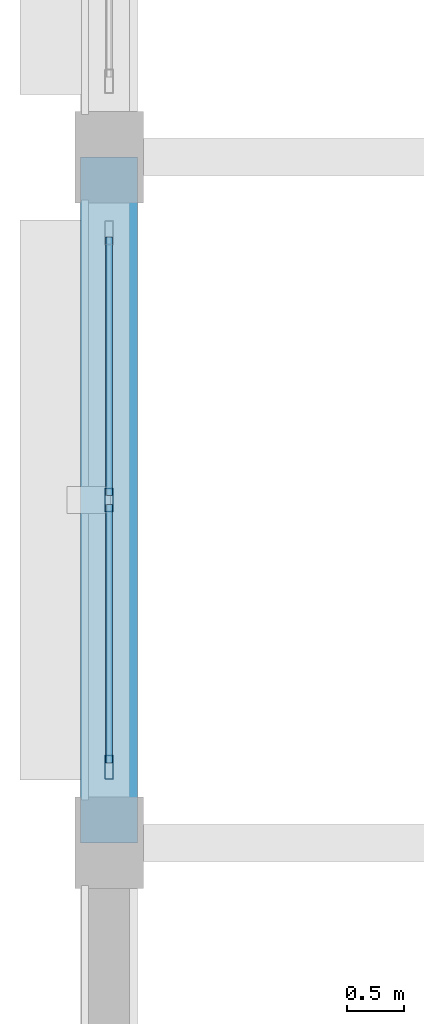
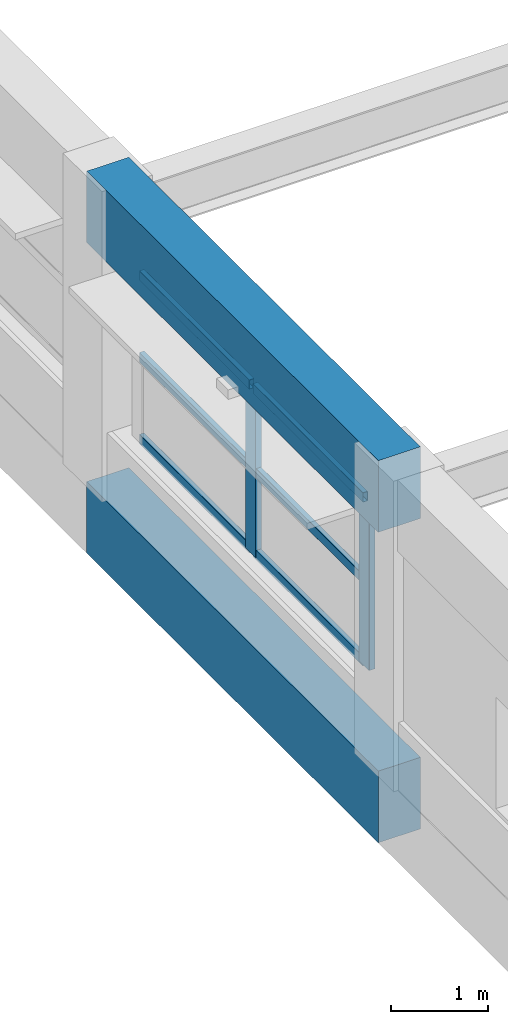
# One storey, part 12 of 108: 8 members, 2 beams, 1 element without a shape of its own.
"""IFC4 building model written with IfcOpenShell, lengths in metres."""

from ifc_helpers import new_model, si_unit, direction, frame, origin, origin_2d, place, context, subcontext, project, spatial, rectangle, hollow_rectangle, extrude, material, layer, layer_set, material_profile, profile_set, type_object, element, aggregate, save


model = new_model("IFC4")

# Units and contexts
model_context = context("Model", 3, precision=1e-05, world=origin(), true_north=direction((0.0, 1.0)))
body_context = subcontext(model_context, "Body", "Model", "MODEL_VIEW")
ifc_project = project(units=[si_unit("LENGTHUNIT", "METRE"), si_unit("AREAUNIT", "SQUARE_METRE"), si_unit("VOLUMEUNIT", "CUBIC_METRE"), si_unit("PLANEANGLEUNIT", "RADIAN"), si_unit("MASSUNIT", "GRAM", prefix="KILO")], contexts=[model_context])

# Site, building, storey
site_placement = place(None, origin())
site = spatial("IfcSite", under=ifc_project, at=site_placement, CompositionType="ELEMENT")
building_placement = place(site_placement, origin())
building = spatial("IfcBuilding", under=site, at=building_placement, Name="Vespera Passage Community Centre", CompositionType="ELEMENT")
storey_placement = place(building_placement, frame((0.0, 0.0, 12.60009765625)))
storey = spatial("IfcBuildingStorey", under=building, at=storey_placement, Name="L03", CompositionType="ELEMENT", Elevation=12.60009765625)

# Beams
ifc_material_1 = material(Name="Concrete f'c 45 MPa", Category="concrete")
ifc_material_profile_1 = material_profile(ifc_material_1, rectangle(XDim=0.5, YDim=0.89990234375, at=origin_2d()), Name="RC500X900")
ifc_profile_set_1 = profile_set([ifc_material_profile_1], Name="Concrete f'c 45 MPa")
beam_type = type_object("IfcBeamType", Name="BM-SP-500X900E", PredefinedType="SPANDREL", material=ifc_profile_set_1)
for number, where, z_axis, x_axis, name in (
    (1, (4.050048828125, 31.0, 3.449951171875), (0.0, 1.0, 0.0), (-1.0, 0.0, 0.0), "Main Hall Eave Ring Girder W5"),
    (2, (4.050048828125, 31.0, -0.4501953125), (0.0, 1.0, 0.0), (-1.0, 0.0, 0.0), "V1 L03 Spandrel W5"),
):
    element("IfcBeam", number, at=place(storey_placement, frame(where, z_axis=z_axis, x_axis=x_axis)), inside=storey, type_object=beam_type, Name=name, PredefinedType="SPANDREL", context=body_context, shape_type="SweptSolid", body=[
        extrude(rectangle(XDim=0.5, YDim=0.89990234375, at=origin_2d()), origin(), (0.0, 0.0, 1.0), 6.0),
    ])

# Curtain wall, members
ifc_material_2 = material(Name="Anodized aluminium 6063-T6", Category="aluminium")
ifc_layer = layer(ifc_material_2, 0.159912109375)
ifc_layer_set = layer_set([ifc_layer], Name="Anodized aluminium 6063-T6")
curtain_wall_type = type_object("IfcCurtainWallType", Name="CW-86E", PredefinedType="NOTDEFINED", material=ifc_layer_set)
curtain_wall_placement = place(storey_placement, origin())
curtain_wall = element("IfcCurtainWall", 3, at=curtain_wall_placement, inside=storey, type_object=curtain_wall_type, Name="Main Hall Acoustic Curtain Wall L03 W5", PredefinedType="NOTDEFINED")
ifc_material_3 = material(Name="Anodized aluminium 6063-T6", Category="aluminium")
ifc_material_profile_2 = material_profile(ifc_material_3, hollow_rectangle(XDim=0.074951171875, YDim=0.2099609375, WallThickness=0.0048828125, InnerFilletRadius=0.00244140625, OuterFilletRadius=0.0048828125, at=origin_2d()), Name="ALU210X75X5")
ifc_profile_set_2 = profile_set([ifc_material_profile_2], Name="Anodized aluminium 6063-T6")
member_type_1 = type_object("IfcMemberType", Name="MB-CWM-210E", PredefinedType="MULLION", material=ifc_profile_set_2)
member_1_placement = place(storey_placement, frame((4.050048828125, 31.66259765625, 0.849853515625), z_axis=(0.0, 0.0, 1.0), x_axis=(-1.0, 0.0, 0.0)))
member_1 = element("IfcMember", 4, at=member_1_placement, type_object=member_type_1, Name="CW-86E mullion 1", PredefinedType="MULLION", context=body_context, shape_type="SweptSolid", body=[
    extrude(hollow_rectangle(XDim=0.074951171875, YDim=0.2099609375, WallThickness=0.0048828125, InnerFilletRadius=0.00244140625, OuterFilletRadius=0.0048828125, at=origin_2d()), origin(), (0.0, 0.0, 1.0), 2.114990234375),
])
member_2_placement = place(storey_placement, frame((4.050048828125, 34.0, 0.849853515625), z_axis=(0.0, 0.0, 1.0), x_axis=(-1.0, 0.0, 0.0)))
member_2 = element("IfcMember", 5, at=member_2_placement, type_object=member_type_1, Name="CW-86E mullion 2", PredefinedType="MULLION", context=body_context, shape_type="SweptSolid", body=[
    extrude(hollow_rectangle(XDim=0.074951171875, YDim=0.2099609375, WallThickness=0.0048828125, InnerFilletRadius=0.00244140625, OuterFilletRadius=0.0048828125, at=origin_2d()), origin(), (0.0, 0.0, 1.0), 2.114990234375),
])
ifc_material_4 = material(Name="Anodized aluminium 6063-T6", Category="aluminium")
ifc_material_profile_3 = material_profile(ifc_material_4, hollow_rectangle(XDim=0.06005859375, YDim=0.1201171875, WallThickness=0.00390625, InnerFilletRadius=0.001953125, OuterFilletRadius=0.00390625, at=origin_2d()), Name="ALU120X60X4")
ifc_profile_set_3 = profile_set([ifc_material_profile_3], Name="Anodized aluminium 6063-T6")
member_type_2 = type_object("IfcMemberType", Name="MB-CWT-120E", PredefinedType="USERDEFINED", material=ifc_profile_set_3)
member_3_placement = place(storey_placement, frame((4.050048828125, 31.699951171875, 0.8798828125), z_axis=(0.0, 1.0, 0.0), x_axis=(-1.0, 0.0, 0.0)))
member_3 = element("IfcMember", 6, at=member_3_placement, type_object=member_type_2, Name="CW-86E transom 1.1", ObjectType="TRANSOM", PredefinedType="USERDEFINED", context=body_context, shape_type="SweptSolid", body=[
    extrude(hollow_rectangle(XDim=0.06005859375, YDim=0.1201171875, WallThickness=0.00390625, InnerFilletRadius=0.001953125, OuterFilletRadius=0.00390625, at=origin_2d()), origin(), (0.0, 0.0, 1.0), 2.262451171875),
])
member_4_placement = place(storey_placement, frame((4.050048828125, 31.699951171875, 1.907470703125), z_axis=(0.0, 1.0, 0.0), x_axis=(-1.0, 0.0, 0.0)))
member_4 = element("IfcMember", 7, at=member_4_placement, type_object=member_type_2, Name="CW-86E transom 1.2", ObjectType="TRANSOM", PredefinedType="USERDEFINED", context=body_context, shape_type="SweptSolid", body=[
    extrude(hollow_rectangle(XDim=0.06005859375, YDim=0.1201171875, WallThickness=0.00390625, InnerFilletRadius=0.001953125, OuterFilletRadius=0.00390625, at=origin_2d()), origin(), (0.0, 0.0, 1.0), 2.262451171875),
])
member_5_placement = place(storey_placement, frame((4.050048828125, 31.699951171875, 2.934814453125), z_axis=(0.0, 1.0, 0.0), x_axis=(-1.0, 0.0, 0.0)))
member_5 = element("IfcMember", 8, at=member_5_placement, type_object=member_type_2, Name="CW-86E transom 1.3", ObjectType="TRANSOM", PredefinedType="USERDEFINED", context=body_context, shape_type="SweptSolid", body=[
    extrude(hollow_rectangle(XDim=0.06005859375, YDim=0.1201171875, WallThickness=0.00390625, InnerFilletRadius=0.001953125, OuterFilletRadius=0.00390625, at=origin_2d()), origin(), (0.0, 0.0, 1.0), 2.262451171875),
])
member_6_placement = place(storey_placement, frame((4.050048828125, 34.03759765625, 0.8798828125), z_axis=(0.0, 1.0, 0.0), x_axis=(-1.0, 0.0, 0.0)))
member_6 = element("IfcMember", 9, at=member_6_placement, type_object=member_type_2, Name="CW-86E transom 2.1", ObjectType="TRANSOM", PredefinedType="USERDEFINED", context=body_context, shape_type="SweptSolid", body=[
    extrude(hollow_rectangle(XDim=0.06005859375, YDim=0.1201171875, WallThickness=0.00390625, InnerFilletRadius=0.001953125, OuterFilletRadius=0.00390625, at=origin_2d()), origin(), (0.0, 0.0, 1.0), 2.262451171875),
])
member_7_placement = place(storey_placement, frame((4.050048828125, 34.03759765625, 1.907470703125), z_axis=(0.0, 1.0, 0.0), x_axis=(-1.0, 0.0, 0.0)))
member_7 = element("IfcMember", 10, at=member_7_placement, type_object=member_type_2, Name="CW-86E transom 2.2", ObjectType="TRANSOM", PredefinedType="USERDEFINED", context=body_context, shape_type="SweptSolid", body=[
    extrude(hollow_rectangle(XDim=0.06005859375, YDim=0.1201171875, WallThickness=0.00390625, InnerFilletRadius=0.001953125, OuterFilletRadius=0.00390625, at=origin_2d()), origin(), (0.0, 0.0, 1.0), 2.262451171875),
])
member_8_placement = place(storey_placement, frame((4.050048828125, 34.03759765625, 2.934814453125), z_axis=(0.0, 1.0, 0.0), x_axis=(-1.0, 0.0, 0.0)))
member_8 = element("IfcMember", 11, at=member_8_placement, type_object=member_type_2, Name="CW-86E transom 2.3", ObjectType="TRANSOM", PredefinedType="USERDEFINED", context=body_context, shape_type="SweptSolid", body=[
    extrude(hollow_rectangle(XDim=0.06005859375, YDim=0.1201171875, WallThickness=0.00390625, InnerFilletRadius=0.001953125, OuterFilletRadius=0.00390625, at=origin_2d()), origin(), (0.0, 0.0, 1.0), 2.262451171875),
])
aggregate(curtain_wall, [member_1, member_2, member_3, member_4, member_5, member_6, member_7, member_8])

save(model, "model.ifc")
